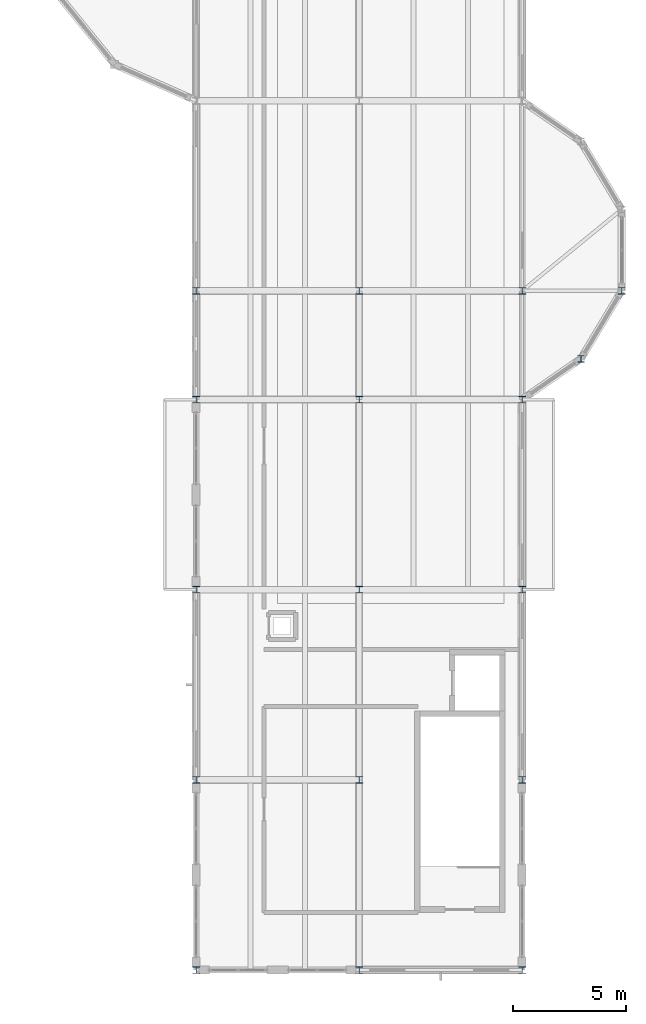
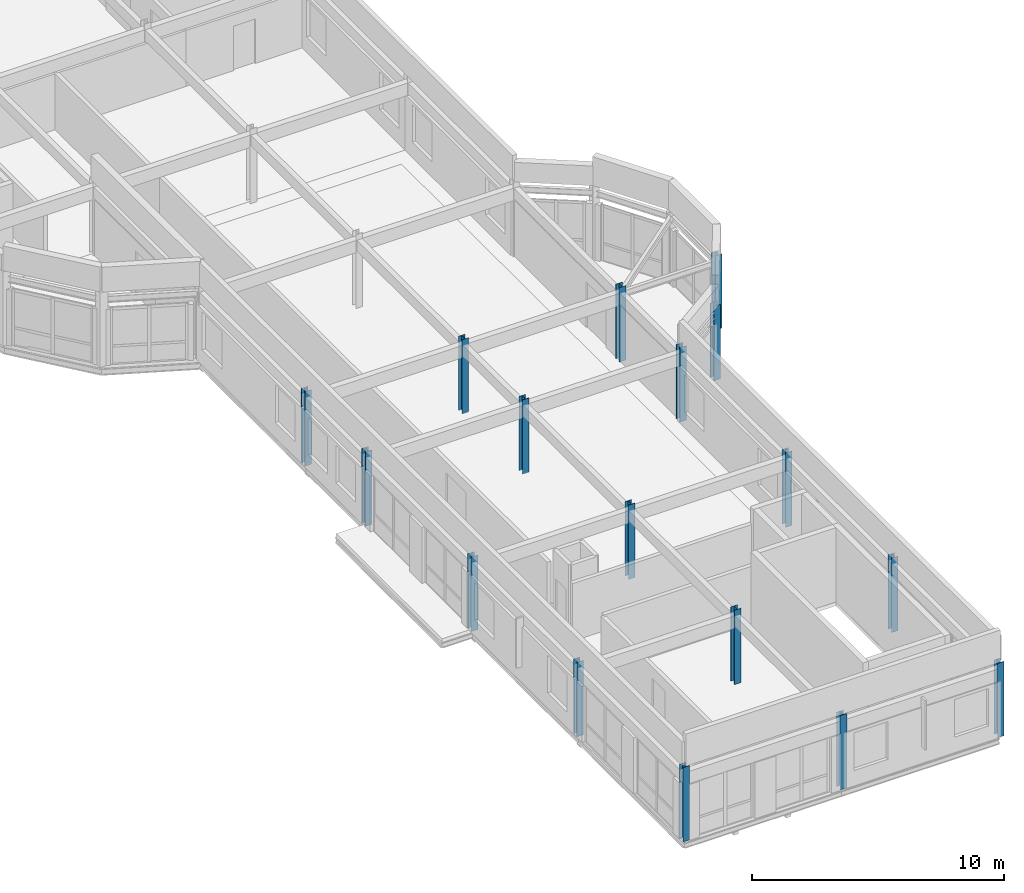
# One storey, part 1 of 21: 17 columns.
"""IFC4 building model written with IfcOpenShell, lengths in metres."""

from ifc_helpers import new_model, si_unit, direction, frame, origin, origin_2d, place, context, subcontext, project, spatial, i_section, extrude, material, material_profile, profile_set, type_object, element, save


model = new_model("IFC4")

# Units and contexts
model_context = context("Model", 3, precision=1e-05, world=origin(), true_north=direction((0.0, 1.0)))
body_context = subcontext(model_context, "Body", "Model", "MODEL_VIEW")
ifc_project = project(units=[si_unit("LENGTHUNIT", "METRE"), si_unit("AREAUNIT", "SQUARE_METRE"), si_unit("VOLUMEUNIT", "CUBIC_METRE"), si_unit("PLANEANGLEUNIT", "RADIAN"), si_unit("MASSUNIT", "GRAM", prefix="KILO")], contexts=[model_context])

# Site, building, storey
site_placement = place(None, origin())
site = spatial("IfcSite", under=ifc_project, at=site_placement, CompositionType="ELEMENT")
building_placement = place(site_placement, origin())
building = spatial("IfcBuilding", under=site, at=building_placement, Name="Kahlenmark Community Centre", CompositionType="ELEMENT")
storey_placement = place(building_placement, frame((0.0, 0.0, 21.60009765625)))
storey = spatial("IfcBuildingStorey", under=building, at=storey_placement, Name="L05", CompositionType="ELEMENT", Elevation=21.60009765625)

# Columns
ifc_material = material(Name="Steel S355", Category="steel")
ifc_material_profile = material_profile(ifc_material, i_section(OverallWidth=0.300048828125, OverallDepth=0.2900390625, WebThickness=0.008544921875, FlangeThickness=0.013916015625, at=origin_2d()), Name="HEA 300")
ifc_profile_set = profile_set([ifc_material_profile], Name="Steel S355")
column_type = type_object("IfcColumnType", Name="CT-HEA300", PredefinedType="COLUMN", material=ifc_profile_set)
for number, where, z_axis, x_axis, name in (
    (1, (72.39990234375, 50.800048828125, 0.0), (0.0, 0.0, 1.0), (1.0, 0.0, 0.0), "L05 column (72.4, 50.8)"),
    (2, (72.39990234375, 59.199951171875, 0.0), (0.0, 0.0, 1.0), (1.0, 0.0, 0.0), "L05 column (72.4, 59.2)"),
    (3, (72.39990234375, 67.60009765625, 0.0), (0.0, 0.0, 1.0), (1.0, 0.0, 0.0), "L05 column (72.4, 67.6)"),
    (4, (72.39990234375, 76.0, 0.0), (0.0, 0.0, 1.0), (1.0, 0.0, 0.0), "L05 column (72.4, 76.0)"),
    (5, (72.39990234375, 80.800048828125, 0.0), (0.0, 0.0, 1.0), (1.0, 0.0, 0.0), "L05 column (72.4, 80.8)"),
    (6, (79.60009765625, 50.800048828125, 0.0), (0.0, 0.0, 1.0), (1.0, 0.0, 0.0), "L05 column (79.6, 50.8)"),
    (7, (79.60009765625, 59.199951171875, 0.0), (0.0, 0.0, 1.0), (1.0, 0.0, 0.0), "L05 column (79.6, 59.2)"),
    (8, (79.60009765625, 67.60009765625, 0.0), (0.0, 0.0, 1.0), (1.0, 0.0, 0.0), "L05 column (79.6, 67.6)"),
    (9, (79.60009765625, 76.0, 0.0), (0.0, 0.0, 1.0), (1.0, 0.0, 0.0), "L05 column (79.6, 76.0)"),
    (10, (79.60009765625, 80.800048828125, 0.0), (0.0, 0.0, 1.0), (1.0, 0.0, 0.0), "L05 column (79.6, 80.8)"),
    (11, (86.800048828125, 50.800048828125, 0.0), (0.0, 0.0, 1.0), (1.0, 0.0, 0.0), "L05 column (86.8, 50.8)"),
    (12, (86.800048828125, 59.199951171875, 0.0), (0.0, 0.0, 1.0), (1.0, 0.0, 0.0), "L05 column (86.8, 59.2)"),
    (13, (86.800048828125, 67.60009765625, 0.0), (0.0, 0.0, 1.0), (1.0, 0.0, 0.0), "L05 column (86.8, 67.6)"),
    (14, (86.800048828125, 76.0, 0.0), (0.0, 0.0, 1.0), (1.0, 0.0, 0.0), "L05 column (86.8, 76.0)"),
    (15, (86.800048828125, 80.800048828125, 0.0), (0.0, 0.0, 1.0), (1.0, 0.0, 0.0), "L05 column (86.8, 80.8)"),
    (16, (89.39990234375, 77.800048828125, 0.0), (0.0, 0.0, 1.0), (1.0, 0.0, 0.0), "L05 column (89.4, 77.8)"),
    (17, (91.199951171875, 80.800048828125, 0.0), (0.0, 0.0, 1.0), (1.0, 0.0, 0.0), "L05 column (91.2, 80.8)"),
):
    element("IfcColumn", number, at=place(storey_placement, frame(where, z_axis=z_axis, x_axis=x_axis)), inside=storey, type_object=column_type, Name=name, PredefinedType="COLUMN", context=body_context, shape_type="SweptSolid", body=[
        extrude(i_section(OverallWidth=0.300048828125, OverallDepth=0.2900390625, WebThickness=0.008544921875, FlangeThickness=0.013916015625, at=origin_2d()), origin(), (0.0, 0.0, 1.0), 3.599853515625),
    ])

save(model, "model.ifc")
